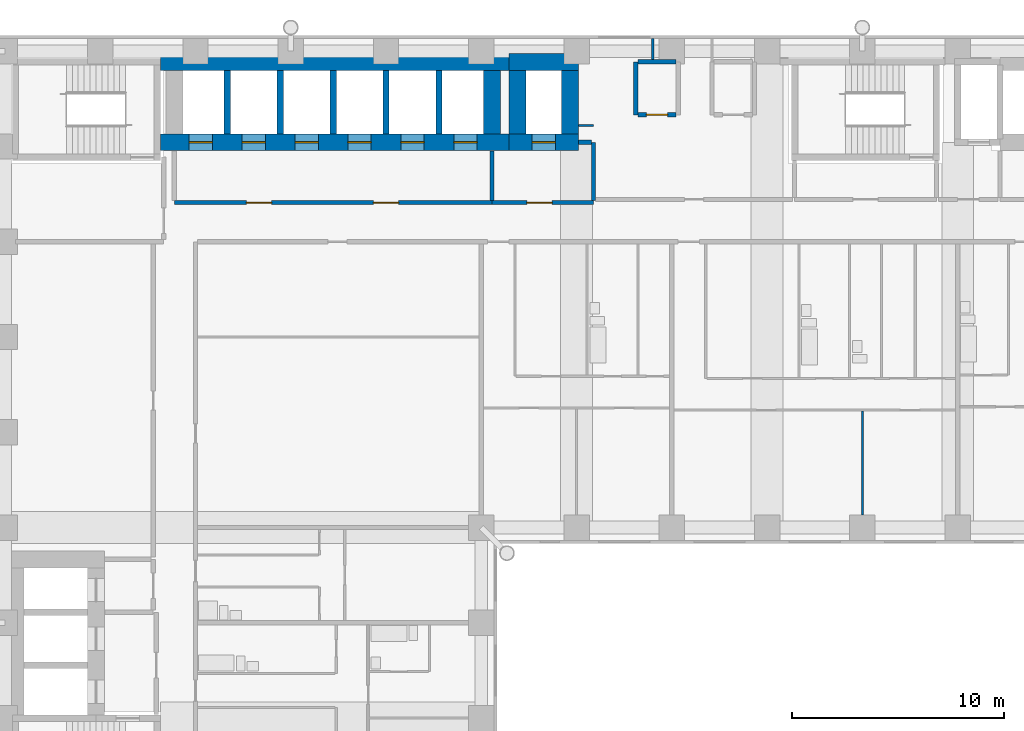
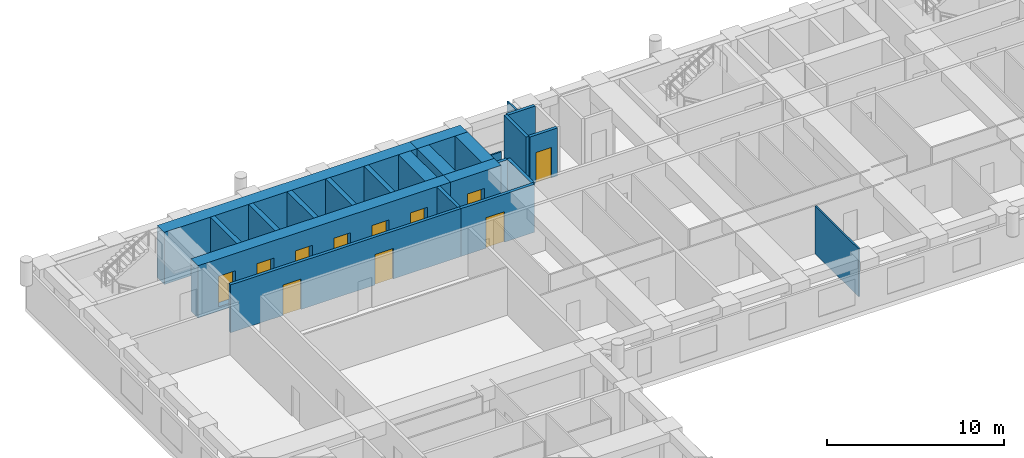
# One storey, part 8 of 14: 23 walls, 11 doors, 11 openings.
"""IFC4 building model written with IfcOpenShell, lengths in metres."""

from ifc_helpers import new_model, si_unit, direction, frame, frame_2d, origin, place, context, subcontext, project, spatial, rectangle, extrude, material, layer, layer_set, type_object, element, fill, save


model = new_model("IFC4")

# Units and contexts
model_context = context("Model", 3, precision=1e-05, world=origin(), true_north=direction((0.0, 1.0)))
body_context = subcontext(model_context, "Body", "Model", "MODEL_VIEW")
ifc_project = project(units=[si_unit("LENGTHUNIT", "METRE"), si_unit("AREAUNIT", "SQUARE_METRE"), si_unit("VOLUMEUNIT", "CUBIC_METRE"), si_unit("PLANEANGLEUNIT", "RADIAN"), si_unit("MASSUNIT", "GRAM", prefix="KILO")], contexts=[model_context])

# Site, building, storey
site_placement = place(None, origin())
site = spatial("IfcSite", under=ifc_project, at=site_placement, CompositionType="ELEMENT")
building_placement = place(site_placement, origin())
building = spatial("IfcBuilding", under=site, at=building_placement, Name="Firuza Court", CompositionType="ELEMENT")
storey_placement = place(building_placement, frame((0.0, 0.0, 90.199951171875)))
storey = spatial("IfcBuildingStorey", under=building, at=storey_placement, Name="L22", CompositionType="ELEMENT", Elevation=90.199951171875)

# Walls
ifc_material_1 = material(Name="Concrete C60/75", Category="concrete")
ifc_layer_1 = layer(ifc_material_1, 0.300048828125)
ifc_layer_set_1 = layer_set([ifc_layer_1], Name="Concrete C60/75")
wall_type_1 = type_object("IfcWallType", Name="Core wall 300 C60/75", PredefinedType="SHEAR", material=ifc_layer_set_1)
for number, where, z_axis, x_axis, name in (
    (1, (10.5, 54.60009765625, -0.300048828125), (0.0, 0.0, 1.0), (0.0, 1.0, 0.0), "Core wall lift shaft L22"),
    (2, (13.0, 54.60009765625, -0.300048828125), (0.0, 0.0, 1.0), (0.0, 1.0, 0.0), "Core wall lift shaft L22"),
    (3, (15.5, 54.60009765625, -0.300048828125), (0.0, 0.0, 1.0), (0.0, 1.0, 0.0), "Core wall lift shaft L22"),
    (4, (18.0, 54.60009765625, -0.300048828125), (0.0, 0.0, 1.0), (0.0, 1.0, 0.0), "Core wall lift shaft L22"),
    (5, (20.5, 54.60009765625, -0.300048828125), (0.0, 0.0, 1.0), (0.0, 1.0, 0.0), "Core wall lift shaft L22"),
):
    element("IfcWall", number, at=place(storey_placement, frame(where, z_axis=z_axis, x_axis=x_axis)), inside=storey, type_object=wall_type_1, Name=name, PredefinedType="SHEAR", context=body_context, shape_type="SweptSolid", body=[
        extrude(rectangle(XDim=3.0, YDim=0.300048828125, at=frame_2d((1.5, 0.0))), origin(), (0.0, 0.0, 1.0), 3.60009765625),
    ])

# Wall, openings, doors
ifc_layer_2 = layer(ifc_material_1, 0.800048828125)
ifc_layer_set_2 = layer_set([ifc_layer_2], Name="Concrete C60/75")
wall_type_2 = type_object("IfcWallType", Name="Core wall 800 C60/75", PredefinedType="SHEAR", material=ifc_layer_set_2)
wall_1_placement = place(storey_placement, frame((7.35009765625, 54.199951171875, -0.300048828125), z_axis=(0.0, 0.0, 1.0), x_axis=(1.0, 0.0, 0.0)))
wall_1 = element("IfcWall", 6, at=wall_1_placement, inside=storey, type_object=wall_type_2, Name="Core wall lift shaft L22", PredefinedType="SHEAR", context=body_context, shape_type="SweptSolid", body=[
    extrude(rectangle(XDim=16.449951171875, YDim=0.800048828125, at=frame_2d((8.22509765625, 0.0))), origin(), (0.0, 0.0, 1.0), 3.60009765625),
])
opening_1_placement = place(wall_1_placement, frame((1.35009765625, 0.0, 0.300048828125)))
opening_1 = element("IfcOpeningElement", 7, at=opening_1_placement, cuts=wall_1, Name="Opening LD-LB1-22", PredefinedType="OPENING", context=body_context, shape_type="SweptSolid", body=[
    extrude(rectangle(XDim=1.10009765625, YDim=2.10009765625, at=frame_2d((0.550048828125, 1.050048828125))), frame((0.0, 0.412109375, 0.0), z_axis=(0.0, -1.0, 0.0), x_axis=(1.0, 0.0, 0.0)), (0.0, 0.0, 1.0), 0.823974609375),
])
opening_2_placement = place(wall_1_placement, frame((3.85009765625, 0.0, 0.300048828125)))
opening_2 = element("IfcOpeningElement", 8, at=opening_2_placement, cuts=wall_1, Name="Opening LD-LB2-22", PredefinedType="OPENING", context=body_context, shape_type="SweptSolid", body=[
    extrude(rectangle(XDim=1.10009765625, YDim=2.10009765625, at=frame_2d((0.550048828125, 1.050048828125))), frame((0.0, 0.412109375, 0.0), z_axis=(0.0, -1.0, 0.0), x_axis=(1.0, 0.0, 0.0)), (0.0, 0.0, 1.0), 0.823974609375),
])
opening_3_placement = place(wall_1_placement, frame((6.35009765625, 0.0, 0.300048828125)))
opening_3 = element("IfcOpeningElement", 9, at=opening_3_placement, cuts=wall_1, Name="Opening LD-LB3-22", PredefinedType="OPENING", context=body_context, shape_type="SweptSolid", body=[
    extrude(rectangle(XDim=1.10009765625, YDim=2.10009765625, at=frame_2d((0.550048828125, 1.050048828125))), frame((0.0, 0.412109375, 0.0), z_axis=(0.0, -1.0, 0.0), x_axis=(1.0, 0.0, 0.0)), (0.0, 0.0, 1.0), 0.823974609375),
])
opening_4_placement = place(wall_1_placement, frame((8.85009765625, 0.0, 0.300048828125)))
opening_4 = element("IfcOpeningElement", 10, at=opening_4_placement, cuts=wall_1, Name="Opening LD-LB4-22", PredefinedType="OPENING", context=body_context, shape_type="SweptSolid", body=[
    extrude(rectangle(XDim=1.10009765625, YDim=2.10009765625, at=frame_2d((0.550048828125, 1.050048828125))), frame((0.0, 0.412109375, 0.0), z_axis=(0.0, -1.0, 0.0), x_axis=(1.0, 0.0, 0.0)), (0.0, 0.0, 1.0), 0.823974609375),
])
opening_5_placement = place(wall_1_placement, frame((11.35009765625, 0.0, 0.300048828125)))
opening_5 = element("IfcOpeningElement", 11, at=opening_5_placement, cuts=wall_1, Name="Opening LD-LB5-22", PredefinedType="OPENING", context=body_context, shape_type="SweptSolid", body=[
    extrude(rectangle(XDim=1.10009765625, YDim=2.10009765625, at=frame_2d((0.550048828125, 1.050048828125))), frame((0.0, 0.412109375, 0.0), z_axis=(0.0, -1.0, 0.0), x_axis=(1.0, 0.0, 0.0)), (0.0, 0.0, 1.0), 0.823974609375),
])
opening_6_placement = place(wall_1_placement, frame((13.85009765625, 0.0, 0.300048828125)))
opening_6 = element("IfcOpeningElement", 12, at=opening_6_placement, cuts=wall_1, Name="Opening LD-LB6-22", PredefinedType="OPENING", context=body_context, shape_type="SweptSolid", body=[
    extrude(rectangle(XDim=1.10009765625, YDim=2.10009765625, at=frame_2d((0.550048828125, 1.050048828125))), frame((0.0, 0.412109375, 0.0), z_axis=(0.0, -1.0, 0.0), x_axis=(1.0, 0.0, 0.0)), (0.0, 0.0, 1.0), 0.823974609375),
])
ifc_material_2 = material(Name="Stainless steel 1.4301 door leaf", Category="steel")
door_type_1 = type_object("IfcDoorType", Name="Lift landing door 1100", OperationType="SLIDING_TO_LEFT", PredefinedType="DOOR", material=ifc_material_2)
door_1_placement = place(opening_1_placement, origin())
door_1 = element("IfcDoor", 13, at=door_1_placement, inside=storey, type_object=door_type_1, Name="Landing door LB1", OperationType="SLIDING_TO_LEFT", OverallHeight=2.10009765625, OverallWidth=1.10009765625, PredefinedType="DOOR", context=body_context, shape_type="SweptSolid", body=[
    extrude(rectangle(XDim=1.10009765625, YDim=2.10009765625, at=frame_2d((0.550048828125, 1.050048828125))), frame((0.0, 0.02490234375, 0.0), z_axis=(0.0, -1.0, 0.0), x_axis=(1.0, 0.0, 0.0)), (0.0, 0.0, 1.0), 0.050048828125),
])
fill(opening_1, door_1)
door_2_placement = place(opening_2_placement, origin())
door_2 = element("IfcDoor", 14, at=door_2_placement, inside=storey, type_object=door_type_1, Name="Landing door LB2", OperationType="SLIDING_TO_LEFT", OverallHeight=2.10009765625, OverallWidth=1.10009765625, PredefinedType="DOOR", context=body_context, shape_type="SweptSolid", body=[
    extrude(rectangle(XDim=1.10009765625, YDim=2.10009765625, at=frame_2d((0.550048828125, 1.050048828125))), frame((0.0, 0.02490234375, 0.0), z_axis=(0.0, -1.0, 0.0), x_axis=(1.0, 0.0, 0.0)), (0.0, 0.0, 1.0), 0.050048828125),
])
fill(opening_2, door_2)
door_3_placement = place(opening_3_placement, origin())
door_3 = element("IfcDoor", 15, at=door_3_placement, inside=storey, type_object=door_type_1, Name="Landing door LB3", OperationType="SLIDING_TO_LEFT", OverallHeight=2.10009765625, OverallWidth=1.10009765625, PredefinedType="DOOR", context=body_context, shape_type="SweptSolid", body=[
    extrude(rectangle(XDim=1.10009765625, YDim=2.10009765625, at=frame_2d((0.550048828125, 1.050048828125))), frame((0.0, 0.02490234375, 0.0), z_axis=(0.0, -1.0, 0.0), x_axis=(1.0, 0.0, 0.0)), (0.0, 0.0, 1.0), 0.050048828125),
])
fill(opening_3, door_3)
door_4_placement = place(opening_4_placement, origin())
door_4 = element("IfcDoor", 16, at=door_4_placement, inside=storey, type_object=door_type_1, Name="Landing door LB4", OperationType="SLIDING_TO_LEFT", OverallHeight=2.10009765625, OverallWidth=1.10009765625, PredefinedType="DOOR", context=body_context, shape_type="SweptSolid", body=[
    extrude(rectangle(XDim=1.10009765625, YDim=2.10009765625, at=frame_2d((0.550048828125, 1.050048828125))), frame((0.0, 0.02490234375, 0.0), z_axis=(0.0, -1.0, 0.0), x_axis=(1.0, 0.0, 0.0)), (0.0, 0.0, 1.0), 0.050048828125),
])
fill(opening_4, door_4)
door_5_placement = place(opening_5_placement, origin())
door_5 = element("IfcDoor", 17, at=door_5_placement, inside=storey, type_object=door_type_1, Name="Landing door LB5", OperationType="SLIDING_TO_LEFT", OverallHeight=2.10009765625, OverallWidth=1.10009765625, PredefinedType="DOOR", context=body_context, shape_type="SweptSolid", body=[
    extrude(rectangle(XDim=1.10009765625, YDim=2.10009765625, at=frame_2d((0.550048828125, 1.050048828125))), frame((0.0, 0.02490234375, 0.0), z_axis=(0.0, -1.0, 0.0), x_axis=(1.0, 0.0, 0.0)), (0.0, 0.0, 1.0), 0.050048828125),
])
fill(opening_5, door_5)
door_6_placement = place(opening_6_placement, origin())
door_6 = element("IfcDoor", 18, at=door_6_placement, inside=storey, type_object=door_type_1, Name="Landing door LB6", OperationType="SLIDING_TO_LEFT", OverallHeight=2.10009765625, OverallWidth=1.10009765625, PredefinedType="DOOR", context=body_context, shape_type="SweptSolid", body=[
    extrude(rectangle(XDim=1.10009765625, YDim=2.10009765625, at=frame_2d((0.550048828125, 1.050048828125))), frame((0.0, 0.02490234375, 0.0), z_axis=(0.0, -1.0, 0.0), x_axis=(1.0, 0.0, 0.0)), (0.0, 0.0, 1.0), 0.050048828125),
])
fill(opening_6, door_6)

# Walls
wall_2_placement = place(storey_placement, frame((7.35009765625, 58.0, -0.300048828125), z_axis=(0.0, 0.0, 1.0), x_axis=(1.0, 0.0, 0.0)))
element("IfcWall", 19, at=wall_2_placement, inside=storey, type_object=wall_type_2, Name="Core wall lift shaft L22", PredefinedType="SHEAR", context=body_context, shape_type="SweptSolid", body=[
    extrude(rectangle(XDim=16.449951171875, YDim=0.800048828125, at=frame_2d((8.22509765625, 0.0))), origin(), (0.0, 0.0, 1.0), 3.60009765625),
])
wall_3_placement = place(storey_placement, frame((23.0, 54.60009765625, -0.300048828125), z_axis=(0.0, 0.0, 1.0), x_axis=(0.0, 1.0, 0.0)))
element("IfcWall", 20, at=wall_3_placement, inside=storey, type_object=wall_type_2, Name="Core wall lift shaft L22", PredefinedType="SHEAR", context=body_context, shape_type="SweptSolid", body=[
    extrude(rectangle(XDim=3.0, YDim=0.800048828125, at=frame_2d((1.5, 0.0))), origin(), (0.0, 0.0, 1.0), 3.60009765625),
])

# Wall, opening, door
wall_4_placement = place(storey_placement, frame((23.800048828125, 54.199951171875, -0.300048828125), z_axis=(0.0, 0.0, 1.0), x_axis=(1.0, 0.0, 0.0)))
wall_4 = element("IfcWall", 21, at=wall_4_placement, inside=storey, type_object=wall_type_2, Name="Core wall lift shaft L22", PredefinedType="SHEAR", context=body_context, shape_type="SweptSolid", body=[
    extrude(rectangle(XDim=3.300048828125, YDim=0.800048828125, at=frame_2d((1.64990234375, 0.0))), origin(), (0.0, 0.0, 1.0), 3.60009765625),
])
opening_7_placement = place(wall_4_placement, frame((1.10009765625, 0.0, 0.300048828125)))
opening_7 = element("IfcOpeningElement", 22, at=opening_7_placement, cuts=wall_4, Name="Opening LD-FL3-22", PredefinedType="OPENING", context=body_context, shape_type="SweptSolid", body=[
    extrude(rectangle(XDim=1.10009765625, YDim=2.10009765625, at=frame_2d((0.550048828125, 1.050048828125))), frame((0.0, 0.412109375, 0.0), z_axis=(0.0, -1.0, 0.0), x_axis=(1.0, 0.0, 0.0)), (0.0, 0.0, 1.0), 0.823974609375),
])
door_7_placement = place(opening_7_placement, origin())
door_7 = element("IfcDoor", 23, at=door_7_placement, inside=storey, type_object=door_type_1, Name="Landing door FL3", OperationType="SLIDING_TO_LEFT", OverallHeight=2.10009765625, OverallWidth=1.10009765625, PredefinedType="DOOR", context=body_context, shape_type="SweptSolid", body=[
    extrude(rectangle(XDim=1.10009765625, YDim=2.10009765625, at=frame_2d((0.550048828125, 1.050048828125))), frame((0.0, 0.02490234375, 0.0), z_axis=(0.0, -1.0, 0.0), x_axis=(1.0, 0.0, 0.0)), (0.0, 0.0, 1.0), 0.050048828125),
])
fill(opening_7, door_7)

# Walls
wall_5_placement = place(storey_placement, frame((23.800048828125, 58.0, -0.300048828125), z_axis=(0.0, 0.0, 1.0), x_axis=(1.0, 0.0, 0.0)))
element("IfcWall", 24, at=wall_5_placement, inside=storey, type_object=wall_type_2, Name="Core wall lift shaft L22", PredefinedType="SHEAR", context=body_context, shape_type="SweptSolid", body=[
    extrude(rectangle(XDim=3.300048828125, YDim=0.800048828125, at=frame_2d((1.64990234375, 0.0))), origin(), (0.0, 0.0, 1.0), 3.60009765625),
])
for number, where, z_axis, x_axis, name in (
    (25, (24.199951171875, 54.60009765625, -0.300048828125), (0.0, 0.0, 1.0), (0.0, 1.0, 0.0), "Core wall lift shaft L22"),
    (26, (26.699951171875, 54.60009765625, -0.300048828125), (0.0, 0.0, 1.0), (0.0, 1.0, 0.0), "Core wall lift shaft L22"),
):
    element("IfcWall", number, at=place(storey_placement, frame(where, z_axis=z_axis, x_axis=x_axis)), inside=storey, type_object=wall_type_2, Name=name, PredefinedType="SHEAR", context=body_context, shape_type="SweptSolid", body=[
        extrude(rectangle(XDim=3.0, YDim=0.800048828125, at=frame_2d((1.5, 0.0))), origin(), (0.0, 0.0, 1.0), 3.60009765625),
    ])
ifc_material_3 = material(Name="Timber stud partition, plasterboard both sides", Category="wood")
ifc_layer_3 = layer(ifc_material_3, 0.10009765625)
ifc_layer_set_3 = layer_set([ifc_layer_3], Name="Timber stud partition, plasterboard both sides")
wall_type_3 = type_object("IfcWallType", Name="Partition wall 100", PredefinedType="PARTITIONING", material=ifc_layer_set_3)
wall_6_placement = place(storey_placement, frame((40.5, 36.60009765625, 0.0), z_axis=(0.0, 0.0, 1.0), x_axis=(0.0, 1.0, 0.0)))
element("IfcWall", 27, at=wall_6_placement, inside=storey, type_object=wall_type_3, Name="Partition wall 100 L22", PredefinedType="PARTITIONING", context=body_context, shape_type="SweptSolid", body=[
    extrude(rectangle(XDim=4.89990234375, YDim=0.10009765625, at=frame_2d((2.449951171875, 0.0))), origin(), (0.0, 0.0, 1.0), 3.300048828125),
])
wall_7_placement = place(storey_placement, frame((27.10009765625, 55.0, 0.0), z_axis=(0.0, 0.0, 1.0), x_axis=(1.0, 0.0, 0.0)))
element("IfcWall", 28, at=wall_7_placement, inside=storey, type_object=wall_type_3, Name="Partition wall 100 L22", PredefinedType="PARTITIONING", context=body_context, shape_type="SweptSolid", body=[
    extrude(rectangle(XDim=0.699951171875, YDim=0.10009765625, at=frame_2d((0.35009765625, 0.0))), origin(), (0.0, 0.0, 1.0), 3.300048828125),
])
wall_8_placement = place(storey_placement, frame((30.60009765625, 58.10009765625, 0.0), z_axis=(0.0, 0.0, 1.0), x_axis=(0.0, 1.0, 0.0)))
element("IfcWall", 29, at=wall_8_placement, inside=storey, type_object=wall_type_3, Name="Partition wall 100 L22", PredefinedType="PARTITIONING", context=body_context, shape_type="SweptSolid", body=[
    extrude(rectangle(XDim=1.0, YDim=0.10009765625, at=frame_2d((0.5, 0.0))), origin(), (0.0, 0.0, 1.0), 3.300048828125),
])
ifc_material_4 = material(Name="Blockwork, fire-rated", Category="masonry")
ifc_layer_4 = layer(ifc_material_4, 0.199951171875)
ifc_layer_set_4 = layer_set([ifc_layer_4], Name="Blockwork, fire-rated")
wall_type_4 = type_object("IfcWallType", Name="Plant room wall 200", PredefinedType="PARTITIONING", material=ifc_layer_set_4)
wall_9_placement = place(storey_placement, frame((29.800048828125, 55.5, 0.0), z_axis=(0.0, 0.0, 1.0), x_axis=(0.0, 1.0, 0.0)))
element("IfcWall", 30, at=wall_9_placement, inside=storey, type_object=wall_type_4, Name="Plant room wall 200 L22", PredefinedType="PARTITIONING", context=body_context, shape_type="SweptSolid", body=[
    extrude(rectangle(XDim=2.5, YDim=0.199951171875, at=frame_2d((1.25, 0.0))), origin(), (0.0, 0.0, 1.0), 3.300048828125),
])

# Wall, opening, door
wall_10_placement = place(storey_placement, frame((29.89990234375, 55.5, 0.0), z_axis=(0.0, 0.0, 1.0), x_axis=(1.0, 0.0, 0.0)))
wall_10 = element("IfcWall", 31, at=wall_10_placement, inside=storey, type_object=wall_type_4, Name="Plant room wall 200 L22", PredefinedType="PARTITIONING", context=body_context, shape_type="SweptSolid", body=[
    extrude(rectangle(XDim=1.800048828125, YDim=0.199951171875, at=frame_2d((0.89990234375, 0.0))), origin(), (0.0, 0.0, 1.0), 3.300048828125),
])
opening_8_placement = place(wall_10_placement, frame((0.39990234375, 0.0, 0.0)))
opening_8 = element("IfcOpeningElement", 32, at=opening_8_placement, cuts=wall_10, Name="Opening D22078", PredefinedType="OPENING", context=body_context, shape_type="SweptSolid", body=[
    extrude(rectangle(XDim=1.0, YDim=2.10009765625, at=frame_2d((0.5, 1.050048828125))), frame((0.0, 0.11181640625, 0.0), z_axis=(0.0, -1.0, 0.0), x_axis=(1.0, 0.0, 0.0)), (0.0, 0.0, 1.0), 0.223876953125),
])
ifc_material_5 = material(Name="Timber door leaf in hardwood frame", Category="wood")
door_type_2 = type_object("IfcDoorType", Name="Riser door 1000", OperationType="SINGLE_SWING_LEFT", PredefinedType="DOOR", material=ifc_material_5)
door_8_placement = place(opening_8_placement, origin())
door_8 = element("IfcDoor", 33, at=door_8_placement, inside=storey, type_object=door_type_2, Name="Electrical riser door", OperationType="SINGLE_SWING_LEFT", OverallHeight=2.10009765625, OverallWidth=1.0, PredefinedType="DOOR", context=body_context, shape_type="SweptSolid", body=[
    extrude(rectangle(XDim=1.0, YDim=2.10009765625, at=frame_2d((0.5, 1.050048828125))), frame((0.0, 0.02490234375, 0.0), z_axis=(0.0, -1.0, 0.0), x_axis=(1.0, 0.0, 0.0)), (0.0, 0.0, 1.0), 0.050048828125),
])
fill(opening_8, door_8)

# Wall
wall_11_placement = place(storey_placement, frame((29.89990234375, 58.0, 0.0), z_axis=(0.0, 0.0, 1.0), x_axis=(1.0, 0.0, 0.0)))
element("IfcWall", 34, at=wall_11_placement, inside=storey, type_object=wall_type_4, Name="Plant room wall 200 L22", PredefinedType="PARTITIONING", context=body_context, shape_type="SweptSolid", body=[
    extrude(rectangle(XDim=1.800048828125, YDim=0.199951171875, at=frame_2d((0.89990234375, 0.0))), origin(), (0.0, 0.0, 1.0), 3.300048828125),
])

# Wall, openings, doors
ifc_layer_5 = layer(ifc_material_4, 0.199951171875)
ifc_layer_set_5 = layer_set([ifc_layer_5], Name="Blockwork, fire-rated")
wall_type_5 = type_object("IfcWallType", Name="Shaft wall 200", PredefinedType="PARTITIONING", material=ifc_layer_set_5)
wall_12_placement = place(storey_placement, frame((8.0, 51.35009765625, 0.0), z_axis=(0.0, 0.0, 1.0), x_axis=(1.0, 0.0, 0.0)))
wall_12 = element("IfcWall", 35, at=wall_12_placement, inside=storey, type_object=wall_type_5, Name="Shaft wall 200 L22", PredefinedType="PARTITIONING", context=body_context, shape_type="SweptSolid", body=[
    extrude(rectangle(XDim=15.0, YDim=0.199951171875, at=frame_2d((7.5, 0.0))), origin(), (0.0, 0.0, 1.0), 3.300048828125),
])
opening_9_placement = place(wall_12_placement, frame((3.39990234375, 0.0, 0.0)))
opening_9 = element("IfcOpeningElement", 36, at=opening_9_placement, cuts=wall_12, Name="Opening D22004", PredefinedType="OPENING", context=body_context, shape_type="SweptSolid", body=[
    extrude(rectangle(XDim=1.199951171875, YDim=2.10009765625, at=frame_2d((0.60009765625, 1.050048828125))), frame((0.0, 0.11181640625, 0.0), z_axis=(0.0, -1.0, 0.0), x_axis=(1.0, 0.0, 0.0)), (0.0, 0.0, 1.0), 0.223876953125),
])
opening_10_placement = place(wall_12_placement, frame((9.39990234375, 0.0, 0.0)))
opening_10 = element("IfcOpeningElement", 37, at=opening_10_placement, cuts=wall_12, Name="Opening D22005", PredefinedType="OPENING", context=body_context, shape_type="SweptSolid", body=[
    extrude(rectangle(XDim=1.199951171875, YDim=2.10009765625, at=frame_2d((0.60009765625, 1.050048828125))), frame((0.0, 0.11181640625, 0.0), z_axis=(0.0, -1.0, 0.0), x_axis=(1.0, 0.0, 0.0)), (0.0, 0.0, 1.0), 0.223876953125),
])
ifc_material_6 = material(Name="Timber door leaf in hardwood frame", Category="wood")
door_type_3 = type_object("IfcDoorType", Name="Lobby door 1200", OperationType="SINGLE_SWING_LEFT", PredefinedType="DOOR", material=ifc_material_6)
door_9_placement = place(opening_9_placement, origin())
door_9 = element("IfcDoor", 38, at=door_9_placement, inside=storey, type_object=door_type_3, Name="Lobby door", OperationType="SINGLE_SWING_LEFT", OverallHeight=2.10009765625, OverallWidth=1.199951171875, PredefinedType="DOOR", context=body_context, shape_type="SweptSolid", body=[
    extrude(rectangle(XDim=1.199951171875, YDim=2.10009765625, at=frame_2d((0.60009765625, 1.050048828125))), frame((0.0, 0.02490234375, 0.0), z_axis=(0.0, -1.0, 0.0), x_axis=(1.0, 0.0, 0.0)), (0.0, 0.0, 1.0), 0.050048828125),
])
fill(opening_9, door_9)
door_10_placement = place(opening_10_placement, origin())
door_10 = element("IfcDoor", 39, at=door_10_placement, inside=storey, type_object=door_type_3, Name="Lobby door", OperationType="SINGLE_SWING_RIGHT", OverallHeight=2.10009765625, OverallWidth=1.199951171875, PredefinedType="DOOR", context=body_context, shape_type="SweptSolid", body=[
    extrude(rectangle(XDim=1.199951171875, YDim=2.10009765625, at=frame_2d((0.60009765625, 1.050048828125))), frame((0.0, 0.02490234375, 0.0), z_axis=(0.0, -1.0, 0.0), x_axis=(1.0, 0.0, 0.0)), (0.0, 0.0, 1.0), 0.050048828125),
])
fill(opening_10, door_10)

# Wall
wall_13_placement = place(storey_placement, frame((23.0, 51.449951171875, 0.0), z_axis=(0.0, 0.0, 1.0), x_axis=(0.0, 1.0, 0.0)))
element("IfcWall", 40, at=wall_13_placement, inside=storey, type_object=wall_type_5, Name="Shaft wall 200 L22", PredefinedType="PARTITIONING", context=body_context, shape_type="SweptSolid", body=[
    extrude(rectangle(XDim=2.330078125, YDim=0.199951171875, at=frame_2d((1.1650390625, 0.0))), origin(), (0.0, 0.0, 1.0), 3.300048828125),
])

# Wall, opening, door
wall_14_placement = place(storey_placement, frame((23.0, 51.35009765625, 0.0), z_axis=(0.0, 0.0, 1.0), x_axis=(1.0, 0.0, 0.0)))
wall_14 = element("IfcWall", 41, at=wall_14_placement, inside=storey, type_object=wall_type_5, Name="Shaft wall 200 L22", PredefinedType="PARTITIONING", context=body_context, shape_type="SweptSolid", body=[
    extrude(rectangle(XDim=4.800048828125, YDim=0.199951171875, at=frame_2d((2.39990234375, 0.0))), origin(), (0.0, 0.0, 1.0), 3.300048828125),
])
opening_11_placement = place(wall_14_placement, frame((1.64990234375, 0.0, 0.0)))
opening_11 = element("IfcOpeningElement", 42, at=opening_11_placement, cuts=wall_14, Name="Opening D22003", PredefinedType="OPENING", context=body_context, shape_type="SweptSolid", body=[
    extrude(rectangle(XDim=1.199951171875, YDim=2.10009765625, at=frame_2d((0.60009765625, 1.050048828125))), frame((0.0, 0.11181640625, 0.0), z_axis=(0.0, -1.0, 0.0), x_axis=(1.0, 0.0, 0.0)), (0.0, 0.0, 1.0), 0.223876953125),
])
door_11_placement = place(opening_11_placement, origin())
door_11 = element("IfcDoor", 43, at=door_11_placement, inside=storey, type_object=door_type_3, Name="Fire-fighting lobby door", OperationType="SINGLE_SWING_LEFT", OverallHeight=2.10009765625, OverallWidth=1.199951171875, PredefinedType="DOOR", context=body_context, shape_type="SweptSolid", body=[
    extrude(rectangle(XDim=1.199951171875, YDim=2.10009765625, at=frame_2d((0.60009765625, 1.050048828125))), frame((0.0, 0.02490234375, 0.0), z_axis=(0.0, -1.0, 0.0), x_axis=(1.0, 0.0, 0.0)), (0.0, 0.0, 1.0), 0.050048828125),
])
fill(opening_11, door_11)

# Walls
wall_15_placement = place(storey_placement, frame((27.800048828125, 51.449951171875, 0.0), z_axis=(0.0, 0.0, 1.0), x_axis=(0.0, 1.0, 0.0)))
element("IfcWall", 44, at=wall_15_placement, inside=storey, type_object=wall_type_5, Name="Shaft wall 200 L22", PredefinedType="PARTITIONING", context=body_context, shape_type="SweptSolid", body=[
    extrude(rectangle(XDim=2.75, YDim=0.199951171875, at=frame_2d((1.375, 0.0))), origin(), (0.0, 0.0, 1.0), 3.300048828125),
])
wall_16_placement = place(storey_placement, frame((27.10009765625, 54.199951171875, 0.0), z_axis=(0.0, 0.0, 1.0), x_axis=(1.0, 0.0, 0.0)))
element("IfcWall", 45, at=wall_16_placement, inside=storey, type_object=wall_type_5, Name="Shaft wall 200 L22", PredefinedType="PARTITIONING", context=body_context, shape_type="SweptSolid", body=[
    extrude(rectangle(XDim=0.599853515625, YDim=0.199951171875, at=frame_2d((0.2998046875, 0.0))), origin(), (0.0, 0.0, 1.0), 3.300048828125),
])

save(model, "model.ifc")
